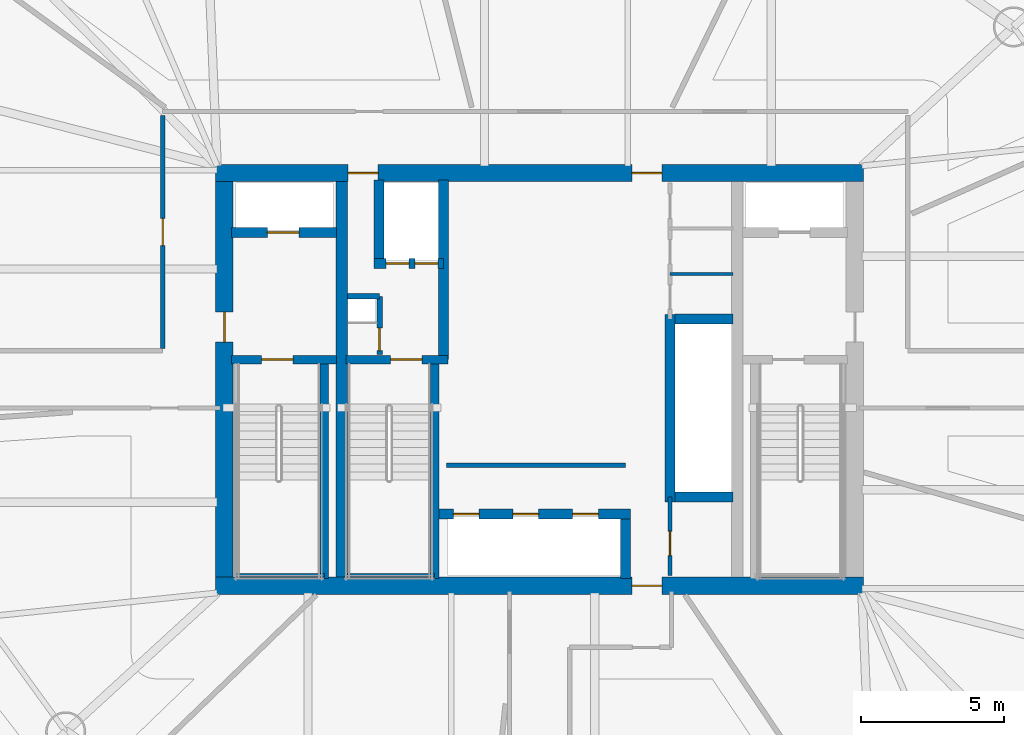
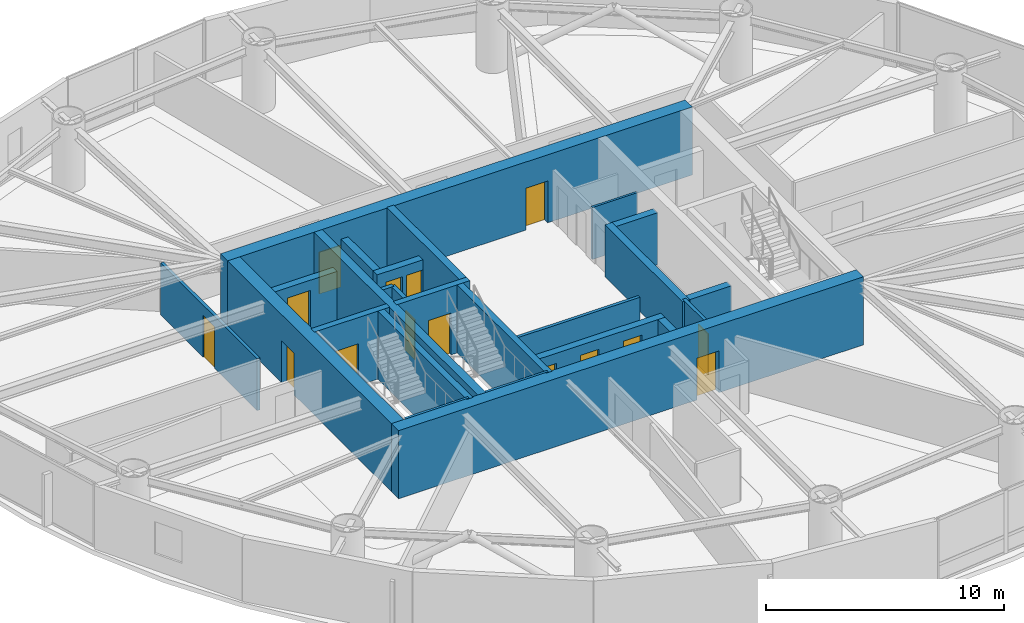
# One storey, part 17 of 22: 25 walls, 15 doors, 15 openings.
"""IFC4 building model written with IfcOpenShell, lengths in metres."""

from ifc_helpers import new_model, si_unit, direction, frame, frame_2d, origin, place, context, subcontext, project, spatial, rectangle, extrude, material, layer, layer_set, type_object, element, fill, save


model = new_model("IFC4")

# Units and contexts
model_context = context("Model", 3, precision=1e-05, world=origin(), true_north=direction((0.0, 1.0)))
body_context = subcontext(model_context, "Body", "Model", "MODEL_VIEW")
ifc_project = project(units=[si_unit("LENGTHUNIT", "METRE"), si_unit("AREAUNIT", "SQUARE_METRE"), si_unit("VOLUMEUNIT", "CUBIC_METRE"), si_unit("PLANEANGLEUNIT", "RADIAN"), si_unit("MASSUNIT", "GRAM", prefix="KILO")], contexts=[model_context])

# Site, building, storey
site_placement = place(None, origin())
site = spatial("IfcSite", under=ifc_project, at=site_placement, CompositionType="ELEMENT")
building_placement = place(site_placement, origin())
building = spatial("IfcBuilding", under=site, at=building_placement, Name="Bramvorn Convention Spire", CompositionType="ELEMENT")
storey_placement = place(building_placement, frame((0.0, 0.0, 141.300048828125)))
storey = spatial("IfcBuildingStorey", under=building, at=storey_placement, Name="L35", CompositionType="ELEMENT", Elevation=141.300048828125)

# Wall, opening, door
ifc_material_1 = material(Name="Concrete C60/70", Category="concrete")
ifc_layer_1 = layer(ifc_material_1, 0.60009765625)
ifc_layer_set_1 = layer_set([ifc_layer_1], Name="Concrete C60/70 - WL-CORE-600")
wall_type_1 = type_object("IfcWallType", Name="WL-CORE-600", PredefinedType="SHEAR", material=ifc_layer_set_1)
wall_1_placement = place(storey_placement, frame((26.699951171875, 18.800048828125, 0.0), z_axis=(0.0, 0.0, 1.0), x_axis=(1.0, 0.0, 0.0)))
wall_1 = element("IfcWall", 1, at=wall_1_placement, inside=storey, type_object=wall_type_1, Name="L35 South RC core shear wall", PredefinedType="SHEAR", context=body_context, shape_type="SweptSolid", body=[
    extrude(rectangle(XDim=22.60009765625, YDim=0.60009765625, at=frame_2d((11.300048828125, 0.0))), origin(), (0.0, 0.0, 1.0), 3.5),
])
opening_1_placement = place(wall_1_placement, frame((14.52001953125, 0.0, 0.0)))
opening_1 = element("IfcOpeningElement", 2, at=opening_1_placement, cuts=wall_1, Name="Opening DL-105", PredefinedType="OPENING", context=body_context, shape_type="SweptSolid", body=[
    extrude(rectangle(XDim=1.050048828125, YDim=2.14990234375, at=frame_2d((0.52490234375, 1.074951171875))), frame((0.0, 0.31005859375, 0.0), z_axis=(0.0, -1.0, 0.0), x_axis=(1.0, 0.0, 0.0)), (0.0, 0.0, 1.0), 0.6201171875),
])
ifc_material_2 = material(Name="Smoke-Sealed Fire Lobby Timber-Core Door", Category="wood")
door_type_1 = type_object("IfcDoorType", Name="DR-LOBBY-1050", OperationType="NOTDEFINED", PredefinedType="DOOR", material=ifc_material_2)
door_1_placement = place(opening_1_placement, origin())
door_1 = element("IfcDoor", 3, at=door_1_placement, inside=storey, type_object=door_type_1, Name="L35 South Lift Lobby fire door", OperationType="SINGLE_SWING_RIGHT", OverallHeight=2.14990234375, OverallWidth=1.050048828125, PredefinedType="DOOR", context=body_context, shape_type="SweptSolid", body=[
    extrude(rectangle(XDim=1.050048828125, YDim=2.14990234375, at=frame_2d((0.52490234375, 1.074951171875))), frame((0.0, 0.02490234375, 0.0), z_axis=(0.0, -1.0, 0.0), x_axis=(1.0, 0.0, 0.0)), (0.0, 0.0, 1.0), 0.050048828125),
])
fill(opening_1, door_1)

# Wall, openings, doors
wall_2_placement = place(storey_placement, frame((26.699951171875, 33.199951171875, 0.0), z_axis=(0.0, 0.0, 1.0), x_axis=(1.0, 0.0, 0.0)))
wall_2 = element("IfcWall", 4, at=wall_2_placement, inside=storey, type_object=wall_type_1, Name="L35 North RC core shear wall", PredefinedType="SHEAR", context=body_context, shape_type="SweptSolid", body=[
    extrude(rectangle(XDim=22.60009765625, YDim=0.60009765625, at=frame_2d((11.300048828125, 0.0))), origin(), (0.0, 0.0, 1.0), 3.5),
])
opening_2_placement = place(wall_2_placement, frame((4.6201171875, 0.0, 0.0)))
opening_2 = element("IfcOpeningElement", 5, at=opening_2_placement, cuts=wall_2, Name="Opening DL-105", PredefinedType="OPENING", context=body_context, shape_type="SweptSolid", body=[
    extrude(rectangle(XDim=1.050048828125, YDim=2.14990234375, at=frame_2d((0.52490234375, 1.074951171875))), frame((0.0, 0.31005859375, 0.0), z_axis=(0.0, -1.0, 0.0), x_axis=(1.0, 0.0, 0.0)), (0.0, 0.0, 1.0), 0.6201171875),
])
opening_3_placement = place(wall_2_placement, frame((14.52001953125, 0.0, 0.0)))
opening_3 = element("IfcOpeningElement", 6, at=opening_3_placement, cuts=wall_2, Name="Opening DL-105", PredefinedType="OPENING", context=body_context, shape_type="SweptSolid", body=[
    extrude(rectangle(XDim=1.050048828125, YDim=2.14990234375, at=frame_2d((0.52490234375, 1.074951171875))), frame((0.0, 0.31005859375, 0.0), z_axis=(0.0, -1.0, 0.0), x_axis=(1.0, 0.0, 0.0)), (0.0, 0.0, 1.0), 0.6201171875),
])
door_2_placement = place(opening_2_placement, origin())
door_2 = element("IfcDoor", 7, at=door_2_placement, inside=storey, type_object=door_type_1, Name="L35 Service & Stair ST3 Lobby north corridor door", OperationType="SINGLE_SWING_LEFT", OverallHeight=2.14990234375, OverallWidth=1.050048828125, PredefinedType="DOOR", context=body_context, shape_type="SweptSolid", body=[
    extrude(rectangle(XDim=1.050048828125, YDim=2.14990234375, at=frame_2d((0.52490234375, 1.074951171875))), frame((0.0, 0.02490234375, 0.0), z_axis=(0.0, -1.0, 0.0), x_axis=(1.0, 0.0, 0.0)), (0.0, 0.0, 1.0), 0.050048828125),
])
fill(opening_2, door_2)
door_3_placement = place(opening_3_placement, origin())
door_3 = element("IfcDoor", 8, at=door_3_placement, inside=storey, type_object=door_type_1, Name="L35 North Lift Lobby fire door", OperationType="SINGLE_SWING_LEFT", OverallHeight=2.14990234375, OverallWidth=1.050048828125, PredefinedType="DOOR", context=body_context, shape_type="SweptSolid", body=[
    extrude(rectangle(XDim=1.050048828125, YDim=2.14990234375, at=frame_2d((0.52490234375, 1.074951171875))), frame((0.0, 0.02490234375, 0.0), z_axis=(0.0, -1.0, 0.0), x_axis=(1.0, 0.0, 0.0)), (0.0, 0.0, 1.0), 0.050048828125),
])
fill(opening_3, door_3)

# Wall, opening, door
wall_3_placement = place(storey_placement, frame((27.0, 19.10009765625, 0.0), z_axis=(0.0, 0.0, 1.0), x_axis=(0.0, 1.0, 0.0)))
wall_3 = element("IfcWall", 9, at=wall_3_placement, inside=storey, type_object=wall_type_1, Name="L35 West RC core shear wall", PredefinedType="SHEAR", context=body_context, shape_type="SweptSolid", body=[
    extrude(rectangle(XDim=13.7998046875, YDim=0.60009765625, at=frame_2d((6.89990234375, 0.0))), origin(), (0.0, 0.0, 1.0), 3.5),
])
opening_4_placement = place(wall_3_placement, frame((8.199951171875, 0.0, 0.0)))
opening_4 = element("IfcOpeningElement", 10, at=opening_4_placement, cuts=wall_3, Name="Opening DL-105", PredefinedType="OPENING", context=body_context, shape_type="SweptSolid", body=[
    extrude(rectangle(XDim=1.050048828125, YDim=2.14990234375, at=frame_2d((0.52490234375, 1.074951171875))), frame((0.0, 0.31005859375, 0.0), z_axis=(0.0, -1.0, 0.0), x_axis=(1.0, 0.0, 0.0)), (0.0, 0.0, 1.0), 0.6201171875),
])
door_4_placement = place(opening_4_placement, origin())
door_4 = element("IfcDoor", 11, at=door_4_placement, inside=storey, type_object=door_type_1, Name="L35 West Firefighting Lobby corridor door", OperationType="SINGLE_SWING_RIGHT", OverallHeight=2.14990234375, OverallWidth=1.050048828125, PredefinedType="DOOR", context=body_context, shape_type="SweptSolid", body=[
    extrude(rectangle(XDim=1.050048828125, YDim=2.14990234375, at=frame_2d((0.52490234375, 1.074951171875))), frame((0.0, 0.02490234375, 0.0), z_axis=(0.0, -1.0, 0.0), x_axis=(1.0, 0.0, 0.0)), (0.0, 0.0, 1.0), 0.050048828125),
])
fill(opening_4, door_4)

ifc_material_3 = material(Name="Concrete C50/60", Category="concrete")
ifc_layer_2 = layer(ifc_material_3, 0.35009765625)
ifc_layer_set_2 = layer_set([ifc_layer_2], Name="Concrete C50/60 - WL-CORE-INT-350")
wall_type_2 = type_object("IfcWallType", Name="WL-CORE-INT-350", PredefinedType="SHEAR", material=ifc_layer_set_2)
wall_4_placement = place(storey_placement, frame((27.25, 31.1201171875, 0.0), z_axis=(0.0, 0.0, 1.0), x_axis=(1.0, 0.0, 0.0)))
wall_4 = element("IfcWall", 12, at=wall_4_placement, inside=storey, type_object=wall_type_2, Name="L35 FE1 shaft front wall", PredefinedType="SHEAR", context=body_context, shape_type="SweptSolid", body=[
    extrude(rectangle(XDim=3.669921875, YDim=0.35009765625, at=frame_2d((1.8349609375, 0.0))), origin(), (0.0, 0.0, 1.0), 2.675048828125),
])
opening_5_placement = place(wall_4_placement, frame((1.25, 0.0, 0.0)))
opening_5 = element("IfcOpeningElement", 13, at=opening_5_placement, cuts=wall_4, Name="Opening LD-110", PredefinedType="OPENING", context=body_context, shape_type="SweptSolid", body=[
    extrude(rectangle(XDim=1.10009765625, YDim=2.14990234375, at=frame_2d((0.550048828125, 1.074951171875))), frame((0.0, 0.18505859375, 0.0), z_axis=(0.0, -1.0, 0.0), x_axis=(1.0, 0.0, 0.0)), (0.0, 0.0, 1.0), 0.3701171875),
])
ifc_material_4 = material(Name="Firefighting & Service Lift Sliding Landing Door", Category="steel")
door_type_2 = type_object("IfcDoorType", Name="DR-LIFT-LD-1100", OperationType="NOTDEFINED", PredefinedType="DOOR", material=ifc_material_4)
door_5_placement = place(opening_5_placement, origin())
door_5 = element("IfcDoor", 14, at=door_5_placement, inside=storey, type_object=door_type_2, Name="L35 Lift FE1 Sliding Landing Door", OperationType="SLIDING_TO_LEFT", OverallHeight=2.14990234375, OverallWidth=1.10009765625, PredefinedType="DOOR", context=body_context, shape_type="SweptSolid", body=[
    extrude(rectangle(XDim=1.10009765625, YDim=2.14990234375, at=frame_2d((0.550048828125, 1.074951171875))), frame((0.0, 0.02490234375, 0.0), z_axis=(0.0, -1.0, 0.0), x_axis=(1.0, 0.0, 0.0)), (0.0, 0.0, 1.0), 0.050048828125),
])
fill(opening_5, door_5)

# Wall
wall_5_placement = place(storey_placement, frame((34.639892578125, 26.68994140625, 0.0), z_axis=(0.0, 0.0, 1.0), x_axis=(0.0, 1.0, 0.0)))
element("IfcWall", 15, at=wall_5_placement, inside=storey, type_object=wall_type_2, Name="L35 SV east core shaft wall", PredefinedType="SHEAR", context=body_context, shape_type="SweptSolid", body=[
    extrude(rectangle(XDim=6.260009765625, YDim=0.35009765625, at=frame_2d((3.1298828125, 0.0))), origin(), (0.0, 0.0, 1.0), 3.5),
])

# Wall, openings, doors
wall_6_placement = place(storey_placement, frame((32.22998046875, 30.050048828125, 0.0), z_axis=(0.0, 0.0, 1.0), x_axis=(1.0, 0.0, 0.0)))
wall_6 = element("IfcWall", 16, at=wall_6_placement, inside=storey, type_object=wall_type_2, Name="L35 SV1/SV2 shaft front wall", PredefinedType="SHEAR", context=body_context, shape_type="SweptSolid", body=[
    extrude(rectangle(XDim=2.409912109375, YDim=0.35009765625, at=frame_2d((1.205078125, 0.0))), origin(), (0.0, 0.0, 1.0), 2.675048828125),
])
opening_6_placement = place(wall_6_placement, frame((0.419921875, 0.0, 0.0)))
opening_6 = element("IfcOpeningElement", 17, at=opening_6_placement, cuts=wall_6, Name="Opening LD-080", PredefinedType="OPENING", context=body_context, shape_type="SweptSolid", body=[
    extrude(rectangle(XDim=0.800048828125, YDim=2.14990234375, at=frame_2d((0.39990234375, 1.074951171875))), frame((0.0, 0.18505859375, 0.0), z_axis=(0.0, -1.0, 0.0), x_axis=(1.0, 0.0, 0.0)), (0.0, 0.0, 1.0), 0.3701171875),
])
opening_7_placement = place(wall_6_placement, frame((1.419921875, 0.0, 0.0)))
opening_7 = element("IfcOpeningElement", 18, at=opening_7_placement, cuts=wall_6, Name="Opening LD-080", PredefinedType="OPENING", context=body_context, shape_type="SweptSolid", body=[
    extrude(rectangle(XDim=0.800048828125, YDim=2.14990234375, at=frame_2d((0.39990234375, 1.074951171875))), frame((0.0, 0.18505859375, 0.0), z_axis=(0.0, -1.0, 0.0), x_axis=(1.0, 0.0, 0.0)), (0.0, 0.0, 1.0), 0.3701171875),
])
ifc_material_5 = material(Name="Service Lift Bi-Parting Landing Door", Category="steel")
door_type_3 = type_object("IfcDoorType", Name="DR-LIFT-LD-800", OperationType="NOTDEFINED", PredefinedType="DOOR", material=ifc_material_5)
door_6_placement = place(opening_6_placement, origin())
door_6 = element("IfcDoor", 19, at=door_6_placement, inside=storey, type_object=door_type_3, Name="L35 Lift SV1 Sliding Landing Door", OperationType="SLIDING_TO_LEFT", OverallHeight=2.14990234375, OverallWidth=0.800048828125, PredefinedType="DOOR", context=body_context, shape_type="SweptSolid", body=[
    extrude(rectangle(XDim=0.800048828125, YDim=2.14990234375, at=frame_2d((0.39990234375, 1.074951171875))), frame((0.0, 0.02490234375, 0.0), z_axis=(0.0, -1.0, 0.0), x_axis=(1.0, 0.0, 0.0)), (0.0, 0.0, 1.0), 0.050048828125),
])
fill(opening_6, door_6)
door_7_placement = place(opening_7_placement, origin())
door_7 = element("IfcDoor", 20, at=door_7_placement, inside=storey, type_object=door_type_3, Name="L35 Lift SV2 Sliding Landing Door", OperationType="SLIDING_TO_LEFT", OverallHeight=2.14990234375, OverallWidth=0.800048828125, PredefinedType="DOOR", context=body_context, shape_type="SweptSolid", body=[
    extrude(rectangle(XDim=0.800048828125, YDim=2.14990234375, at=frame_2d((0.39990234375, 1.074951171875))), frame((0.0, 0.02490234375, 0.0), z_axis=(0.0, -1.0, 0.0), x_axis=(1.0, 0.0, 0.0)), (0.0, 0.0, 1.0), 0.050048828125),
])
fill(opening_7, door_7)

# Walls
wall_7_placement = place(storey_placement, frame((32.39990234375, 30.219970703125, 0.0), z_axis=(0.0, 0.0, 1.0), x_axis=(0.0, 1.0, 0.0)))
element("IfcWall", 21, at=wall_7_placement, inside=storey, type_object=wall_type_2, Name="L35 SV1 west hoistway wall", PredefinedType="SHEAR", context=body_context, shape_type="SweptSolid", body=[
    extrude(rectangle(XDim=2.72998046875, YDim=0.35009765625, at=frame_2d((1.364990234375, 0.0))), origin(), (0.0, 0.0, 1.0), 2.675048828125),
])
wall_8_placement = place(storey_placement, frame((42.550048828125, 21.72998046875, 0.0), z_axis=(0.0, 0.0, 1.0), x_axis=(0.0, 1.0, 0.0)))
element("IfcWall", 22, at=wall_8_placement, inside=storey, type_object=wall_type_2, Name="L35 High-rise lift bank west wall", PredefinedType="SHEAR", context=body_context, shape_type="SweptSolid", body=[
    extrude(rectangle(XDim=6.5400390625, YDim=0.35009765625, at=frame_2d((3.27001953125, 0.0))), origin(), (0.0, 0.0, 1.0), 2.675048828125),
])
for number, where, z_axis, x_axis, name in (
    (23, (42.719970703125, 21.89990234375, 0.0), (0.0, 0.0, 1.0), (1.0, 0.0, 0.0), "L35 High-rise lift bank south wall"),
    (24, (42.719970703125, 28.10009765625, 0.0), (0.0, 0.0, 1.0), (1.0, 0.0, 0.0), "L35 High-rise lift bank north wall"),
):
    element("IfcWall", number, at=place(storey_placement, frame(where, z_axis=z_axis, x_axis=x_axis)), inside=storey, type_object=wall_type_2, Name=name, PredefinedType="SHEAR", context=body_context, shape_type="SweptSolid", body=[
        extrude(rectangle(XDim=2.030029296875, YDim=0.35009765625, at=frame_2d((1.01513671875, 0.0))), origin(), (0.0, 0.0, 1.0), 2.675048828125),
    ])

# Wall, openings, doors
wall_9_placement = place(storey_placement, frame((34.489990234375, 21.300048828125, 0.0), z_axis=(0.0, 0.0, 1.0), x_axis=(1.0, 0.0, 0.0)))
wall_9 = element("IfcWall", 25, at=wall_9_placement, inside=storey, type_object=wall_type_2, Name="L35 Mid-rise bank north landing wall", PredefinedType="SHEAR", context=body_context, shape_type="SweptSolid", body=[
    extrude(rectangle(XDim=6.679931640625, YDim=0.35009765625, at=frame_2d((3.33984375, 0.0))), origin(), (0.0, 0.0, 1.0), 2.675048828125),
])
opening_8_placement = place(wall_9_placement, frame((0.5, 0.0, 0.0)))
opening_8 = element("IfcOpeningElement", 26, at=opening_8_placement, cuts=wall_9, Name="Opening LD-090", PredefinedType="OPENING", context=body_context, shape_type="SweptSolid", body=[
    extrude(rectangle(XDim=0.89990234375, YDim=2.14990234375, at=frame_2d((0.449951171875, 1.074951171875))), frame((0.0, 0.18505859375, 0.0), z_axis=(0.0, -1.0, 0.0), x_axis=(1.0, 0.0, 0.0)), (0.0, 0.0, 1.0), 0.3701171875),
])
opening_9_placement = place(wall_9_placement, frame((2.580078125, 0.0, 0.0)))
opening_9 = element("IfcOpeningElement", 27, at=opening_9_placement, cuts=wall_9, Name="Opening LD-090", PredefinedType="OPENING", context=body_context, shape_type="SweptSolid", body=[
    extrude(rectangle(XDim=0.89990234375, YDim=2.14990234375, at=frame_2d((0.449951171875, 1.074951171875))), frame((0.0, 0.18505859375, 0.0), z_axis=(0.0, -1.0, 0.0), x_axis=(1.0, 0.0, 0.0)), (0.0, 0.0, 1.0), 0.3701171875),
])
opening_10_placement = place(wall_9_placement, frame((4.659912109375, 0.0, 0.0)))
opening_10 = element("IfcOpeningElement", 28, at=opening_10_placement, cuts=wall_9, Name="Opening LD-090", PredefinedType="OPENING", context=body_context, shape_type="SweptSolid", body=[
    extrude(rectangle(XDim=0.89990234375, YDim=2.14990234375, at=frame_2d((0.449951171875, 1.074951171875))), frame((0.0, 0.18505859375, 0.0), z_axis=(0.0, -1.0, 0.0), x_axis=(1.0, 0.0, 0.0)), (0.0, 0.0, 1.0), 0.3701171875),
])
ifc_material_6 = material(Name="Bi-Parting Fire-Rated Lift Landing Door", Category="steel")
door_type_4 = type_object("IfcDoorType", Name="DR-LIFT-LD-900", OperationType="NOTDEFINED", PredefinedType="DOOR", material=ifc_material_6)
door_8_placement = place(opening_8_placement, origin())
door_8 = element("IfcDoor", 29, at=door_8_placement, inside=storey, type_object=door_type_4, Name="L35 Lift PM1 Sliding Landing Door", OperationType="SLIDING_TO_LEFT", OverallHeight=2.14990234375, OverallWidth=0.89990234375, PredefinedType="DOOR", context=body_context, shape_type="SweptSolid", body=[
    extrude(rectangle(XDim=0.89990234375, YDim=2.14990234375, at=frame_2d((0.449951171875, 1.074951171875))), frame((0.0, 0.02490234375, 0.0), z_axis=(0.0, -1.0, 0.0), x_axis=(1.0, 0.0, 0.0)), (0.0, 0.0, 1.0), 0.050048828125),
])
fill(opening_8, door_8)
door_9_placement = place(opening_9_placement, origin())
door_9 = element("IfcDoor", 30, at=door_9_placement, inside=storey, type_object=door_type_4, Name="L35 Lift PM2 Sliding Landing Door", OperationType="SLIDING_TO_LEFT", OverallHeight=2.14990234375, OverallWidth=0.89990234375, PredefinedType="DOOR", context=body_context, shape_type="SweptSolid", body=[
    extrude(rectangle(XDim=0.89990234375, YDim=2.14990234375, at=frame_2d((0.449951171875, 1.074951171875))), frame((0.0, 0.02490234375, 0.0), z_axis=(0.0, -1.0, 0.0), x_axis=(1.0, 0.0, 0.0)), (0.0, 0.0, 1.0), 0.050048828125),
])
fill(opening_9, door_9)
door_10_placement = place(opening_10_placement, origin())
door_10 = element("IfcDoor", 31, at=door_10_placement, inside=storey, type_object=door_type_4, Name="L35 Lift PM3 Sliding Landing Door", OperationType="SLIDING_TO_LEFT", OverallHeight=2.14990234375, OverallWidth=0.89990234375, PredefinedType="DOOR", context=body_context, shape_type="SweptSolid", body=[
    extrude(rectangle(XDim=0.89990234375, YDim=2.14990234375, at=frame_2d((0.449951171875, 1.074951171875))), frame((0.0, 0.02490234375, 0.0), z_axis=(0.0, -1.0, 0.0), x_axis=(1.0, 0.0, 0.0)), (0.0, 0.0, 1.0), 0.050048828125),
])
fill(opening_10, door_10)

# Walls
wall_10_placement = place(storey_placement, frame((41.0, 19.050048828125, 0.0), z_axis=(0.0, 0.0, 1.0), x_axis=(0.0, 1.0, 0.0)))
element("IfcWall", 32, at=wall_10_placement, inside=storey, type_object=wall_type_2, Name="L35 Mid-rise bank east cheek wall", PredefinedType="SHEAR", context=body_context, shape_type="SweptSolid", body=[
    extrude(rectangle(XDim=2.079833984375, YDim=0.35009765625, at=frame_2d((1.0400390625, 0.0))), origin(), (0.0, 0.0, 1.0), 2.675048828125),
])
ifc_layer_3 = layer(ifc_material_1, 0.39990234375)
ifc_layer_set_3 = layer_set([ifc_layer_3], Name="Concrete C60/70 - WL-CORE-INT-400")
wall_type_3 = type_object("IfcWallType", Name="WL-CORE-INT-400", PredefinedType="SHEAR", material=ifc_layer_set_3)
wall_11_placement = place(storey_placement, frame((31.10009765625, 19.10009765625, 0.0), z_axis=(0.0, 0.0, 1.0), x_axis=(0.0, 1.0, 0.0)))
element("IfcWall", 33, at=wall_11_placement, inside=storey, type_object=wall_type_3, Name="L35 West internal core shear web", PredefinedType="SHEAR", context=body_context, shape_type="SweptSolid", body=[
    extrude(rectangle(XDim=13.7998046875, YDim=0.39990234375, at=frame_2d((6.89990234375, 0.0))), origin(), (0.0, 0.0, 1.0), 3.5),
])
ifc_material_7 = material(Name="Lightweight En-Suite & Wet-Wall Partition", Category="gypsum")
ifc_layer_4 = layer(ifc_material_7, 0.110107421875)
ifc_layer_set_4 = layer_set([ifc_layer_4], Name="Lightweight En-Suite & Wet-Wall Partition - WL-PART-110")
wall_type_4 = type_object("IfcWallType", Name="WL-PART-110", PredefinedType="PARTITIONING", material=ifc_layer_set_4)
wall_12_placement = place(storey_placement, frame((42.550048828125, 29.679931640625, 0.0), z_axis=(0.0, 0.0, 1.0), x_axis=(1.0, 0.0, 0.0)))
element("IfcWall", 34, at=wall_12_placement, inside=storey, type_object=wall_type_4, Name="L35 KC NE div 1", PredefinedType="PARTITIONING", context=body_context, shape_type="SweptSolid", body=[
    extrude(rectangle(XDim=2.199951171875, YDim=0.110107421875, at=frame_2d((1.10009765625, 0.0))), origin(), (0.0, 0.0, 1.0), 2.675048828125),
])
ifc_material_8 = material(Name="Acoustic Metal-Stud Tenant/Corridor Partition", Category="gypsum")
ifc_layer_5 = layer(ifc_material_8, 0.14990234375)
ifc_layer_set_5 = layer_set([ifc_layer_5], Name="Acoustic Metal-Stud Tenant/Corridor Partition - WL-PART-150")
wall_type_5 = type_object("IfcWallType", Name="WL-PART-150", PredefinedType="PARTITIONING", material=ifc_layer_set_5)
wall_13_placement = place(storey_placement, frame((34.75, 23.0, 0.0), z_axis=(0.0, 0.0, 1.0), x_axis=(1.0, 0.0, 0.0)))
element("IfcWall", 35, at=wall_13_placement, inside=storey, type_object=wall_type_5, Name="L35 Mid-rise lift vestibule north wall", PredefinedType="PARTITIONING", context=body_context, shape_type="SweptSolid", body=[
    extrude(rectangle(XDim=6.25, YDim=0.14990234375, at=frame_2d((3.125, 0.0))), origin(), (0.0, 0.0, 1.0), 2.675048828125),
])

# Wall, opening, door
wall_14_placement = place(storey_placement, frame((42.550048828125, 19.14990234375, 0.0), z_axis=(0.0, 0.0, 1.0), x_axis=(0.0, 1.0, 0.0)))
wall_14 = element("IfcWall", 36, at=wall_14_placement, inside=storey, type_object=wall_type_5, Name="L35 KC SE wall", PredefinedType="PARTITIONING", context=body_context, shape_type="SweptSolid", body=[
    extrude(rectangle(XDim=2.75, YDim=0.14990234375, at=frame_2d((1.375, 0.0))), origin(), (0.0, 0.0, 1.0), 2.675048828125),
])
opening_11_placement = place(wall_14_placement, frame((0.699951171875, 0.0, 0.0)))
opening_11 = element("IfcOpeningElement", 37, at=opening_11_placement, cuts=wall_14, Name="Opening DC-085", PredefinedType="OPENING", context=body_context, shape_type="SweptSolid", body=[
    extrude(rectangle(XDim=0.85009765625, YDim=2.10009765625, at=frame_2d((0.425048828125, 1.050048828125))), frame((0.0, 0.0849609375, 0.0), z_axis=(0.0, -1.0, 0.0), x_axis=(1.0, 0.0, 0.0)), (0.0, 0.0, 1.0), 0.169921875),
])
ifc_material_9 = material(Name="Fire-Rated Core Washroom & IDF Door", Category="wood")
door_type_5 = type_object("IfcDoorType", Name="DR-CORE-850", OperationType="NOTDEFINED", PredefinedType="DOOR", material=ifc_material_9)
door_11_placement = place(opening_11_placement, origin())
door_11 = element("IfcDoor", 38, at=door_11_placement, inside=storey, type_object=door_type_5, Name="L35 Core Valve & Riser Room door", OperationType="SINGLE_SWING_LEFT", OverallHeight=2.10009765625, OverallWidth=0.85009765625, PredefinedType="DOOR", context=body_context, shape_type="SweptSolid", body=[
    extrude(rectangle(XDim=0.85009765625, YDim=2.10009765625, at=frame_2d((0.425048828125, 1.050048828125))), frame((0.0, 0.02490234375, 0.0), z_axis=(0.0, -1.0, 0.0), x_axis=(1.0, 0.0, 0.0)), (0.0, 0.0, 1.0), 0.050048828125),
])
fill(opening_11, door_11)

wall_15_placement = place(storey_placement, frame((24.85009765625, 27.080078125, 0.0), z_axis=(0.0, 0.0, 1.0), x_axis=(0.0, 1.0, 0.0)))
wall_15 = element("IfcWall", 39, at=wall_15_placement, inside=storey, type_object=wall_type_5, Name="L35 NW gallery cheek", PredefinedType="PARTITIONING", context=body_context, shape_type="SweptSolid", body=[
    extrude(rectangle(XDim=8.119873046875, YDim=0.14990234375, at=frame_2d((4.06005859375, 0.0))), origin(), (0.0, 0.0, 1.0), 2.675048828125),
])
opening_12_placement = place(wall_15_placement, frame((3.5849609375, 0.0, 0.0)))
opening_12 = element("IfcOpeningElement", 40, at=opening_12_placement, cuts=wall_15, Name="Opening DH-095", PredefinedType="OPENING", context=body_context, shape_type="SweptSolid", body=[
    extrude(rectangle(XDim=0.949951171875, YDim=2.14990234375, at=frame_2d((0.47509765625, 1.074951171875))), frame((0.0, 0.0849609375, 0.0), z_axis=(0.0, -1.0, 0.0), x_axis=(1.0, 0.0, 0.0)), (0.0, 0.0, 1.0), 0.169921875),
])
ifc_material_10 = material(Name="Solid-Core Acoustic Guestroom Entry Door", Category="wood")
door_type_6 = type_object("IfcDoorType", Name="DR-HOTEL-950", OperationType="NOTDEFINED", PredefinedType="DOOR", material=ifc_material_10)
door_12_placement = place(opening_12_placement, origin())
door_12 = element("IfcDoor", 41, at=door_12_placement, inside=storey, type_object=door_type_6, Name="L35 C-Suite Meeting Boardroom 4 door", OperationType="SINGLE_SWING_RIGHT", OverallHeight=2.14990234375, OverallWidth=0.949951171875, PredefinedType="DOOR", context=body_context, shape_type="SweptSolid", body=[
    extrude(rectangle(XDim=0.949951171875, YDim=2.14990234375, at=frame_2d((0.47509765625, 1.074951171875))), frame((0.0, 0.02490234375, 0.0), z_axis=(0.0, -1.0, 0.0), x_axis=(1.0, 0.0, 0.0)), (0.0, 0.0, 1.0), 0.050048828125),
])
fill(opening_12, door_12)

ifc_material_11 = material(Name="Gypsum Shaftwall & Rockwool Core Partition", Category="gypsum")
ifc_layer_6 = layer(ifc_material_11, 0.199951171875)
ifc_layer_set_6 = layer_set([ifc_layer_6], Name="Gypsum Shaftwall & Rockwool Core Partition - WL-PART-200-FR")
wall_type_6 = type_object("IfcWallType", Name="WL-PART-200-FR", PredefinedType="PARTITIONING", material=ifc_layer_set_6)
wall_16_placement = place(storey_placement, frame((32.419921875, 26.860107421875, 0.0), z_axis=(0.0, 0.0, 1.0), x_axis=(0.0, 1.0, 0.0)))
wall_16 = element("IfcWall", 42, at=wall_16_placement, inside=storey, type_object=wall_type_6, Name="L35 Telecom riser east wall", PredefinedType="PARTITIONING", context=body_context, shape_type="SweptSolid", body=[
    extrude(rectangle(XDim=2.039794921875, YDim=0.199951171875, at=frame_2d((1.02001953125, 0.0))), origin(), (0.0, 0.0, 1.0), 2.675048828125),
])
opening_13_placement = place(wall_16_placement, frame((0.139892578125, 0.0, 0.0)))
opening_13 = element("IfcOpeningElement", 43, at=opening_13_placement, cuts=wall_16, Name="Opening DR-080", PredefinedType="OPENING", context=body_context, shape_type="SweptSolid", body=[
    extrude(rectangle(XDim=0.800048828125, YDim=2.050048828125, at=frame_2d((0.39990234375, 1.02490234375))), frame((0.0, 0.10986328125, 0.0), z_axis=(0.0, -1.0, 0.0), x_axis=(1.0, 0.0, 0.0)), (0.0, 0.0, 1.0), 0.219970703125),
])
ifc_material_12 = material(Name="Flush Steel Riser Access Door", Category="steel")
door_type_7 = type_object("IfcDoorType", Name="DR-RISER-800", OperationType="NOTDEFINED", PredefinedType="DOOR", material=ifc_material_12)
door_13_placement = place(opening_13_placement, origin())
door_13 = element("IfcDoor", 44, at=door_13_placement, inside=storey, type_object=door_type_7, Name="L35 Telecom riser access door", OperationType="SINGLE_SWING_RIGHT", OverallHeight=2.050048828125, OverallWidth=0.800048828125, PredefinedType="DOOR", context=body_context, shape_type="SweptSolid", body=[
    extrude(rectangle(XDim=0.800048828125, YDim=2.050048828125, at=frame_2d((0.39990234375, 1.02490234375))), frame((0.0, 0.02490234375, 0.0), z_axis=(0.0, -1.0, 0.0), x_axis=(1.0, 0.0, 0.0)), (0.0, 0.0, 1.0), 0.050048828125),
])
fill(opening_13, door_13)

# Wall
wall_17_placement = place(storey_placement, frame((31.300048828125, 28.89990234375, 0.0), z_axis=(0.0, 0.0, 1.0), x_axis=(1.0, 0.0, 0.0)))
element("IfcWall", 45, at=wall_17_placement, inside=storey, type_object=wall_type_6, Name="L35 Telecom riser north wall", PredefinedType="PARTITIONING", context=body_context, shape_type="SweptSolid", body=[
    extrude(rectangle(XDim=1.119873046875, YDim=0.199951171875, at=frame_2d((0.56005859375, 0.0))), origin(), (0.0, 0.0, 1.0), 2.675048828125),
])

# Wall, opening, door
ifc_layer_7 = layer(ifc_material_3, 0.300048828125)
ifc_layer_set_7 = layer_set([ifc_layer_7], Name="Concrete C50/60 - WL-POD-STAIR-300")
wall_type_7 = type_object("IfcWallType", Name="WL-POD-STAIR-300", PredefinedType="SHEAR", material=ifc_layer_set_7)
wall_18_placement = place(storey_placement, frame((27.25, 26.68994140625, 0.0), z_axis=(0.0, 0.0, 1.0), x_axis=(1.0, 0.0, 0.0)))
wall_18 = element("IfcWall", 46, at=wall_18_placement, inside=storey, type_object=wall_type_7, Name="L35 ST1 north fire wall", PredefinedType="SHEAR", context=body_context, shape_type="SweptSolid", body=[
    extrude(rectangle(XDim=3.669921875, YDim=0.300048828125, at=frame_2d((1.8349609375, 0.0))), origin(), (0.0, 0.0, 1.0), 3.5),
])
opening_14_placement = place(wall_18_placement, frame((1.050048828125, 0.0, 0.0)))
opening_14 = element("IfcOpeningElement", 47, at=opening_14_placement, cuts=wall_18, Name="Opening DS-110", PredefinedType="OPENING", context=body_context, shape_type="SweptSolid", body=[
    extrude(rectangle(XDim=1.10009765625, YDim=2.14990234375, at=frame_2d((0.550048828125, 1.074951171875))), frame((0.0, 0.159912109375, 0.0), z_axis=(0.0, -1.0, 0.0), x_axis=(1.0, 0.0, 0.0)), (0.0, 0.0, 1.0), 0.320068359375),
])
ifc_material_13 = material(Name="Fire-Rated Hollow Steel Stairwell Door", Category="steel")
door_type_8 = type_object("IfcDoorType", Name="DR-STAIR-1100", OperationType="NOTDEFINED", PredefinedType="DOOR", material=ifc_material_13)
door_14_placement = place(opening_14_placement, origin())
door_14 = element("IfcDoor", 48, at=door_14_placement, inside=storey, type_object=door_type_8, Name="L35 Stair ST1 fire door", OperationType="SINGLE_SWING_LEFT", OverallHeight=2.14990234375, OverallWidth=1.10009765625, PredefinedType="DOOR", context=body_context, shape_type="SweptSolid", body=[
    extrude(rectangle(XDim=1.10009765625, YDim=2.14990234375, at=frame_2d((0.550048828125, 1.074951171875))), frame((0.0, 0.02490234375, 0.0), z_axis=(0.0, -1.0, 0.0), x_axis=(1.0, 0.0, 0.0)), (0.0, 0.0, 1.0), 0.050048828125),
])
fill(opening_14, door_14)

# Walls
for number, where, z_axis, x_axis, name in (
    (49, (30.489990234375, 19.050048828125, 0.0), (0.0, 0.0, 1.0), (0.0, 1.0, 0.0), "L35 ST1 east bearing wall"),
    (50, (34.340087890625, 19.050048828125, 0.0), (0.0, 0.0, 1.0), (0.0, 1.0, 0.0), "L35 ST3 east bearing wall"),
):
    element("IfcWall", number, at=place(storey_placement, frame(where, z_axis=z_axis, x_axis=x_axis)), inside=storey, type_object=wall_type_7, Name=name, PredefinedType="SHEAR", context=body_context, shape_type="SweptSolid", body=[
        extrude(rectangle(XDim=7.5, YDim=0.300048828125, at=frame_2d((3.75, 0.0))), origin(), (0.0, 0.0, 1.0), 3.5),
    ])

# Wall, opening, door
wall_19_placement = place(storey_placement, frame((31.25, 26.68994140625, 0.0), z_axis=(0.0, 0.0, 1.0), x_axis=(1.0, 0.0, 0.0)))
wall_19 = element("IfcWall", 51, at=wall_19_placement, inside=storey, type_object=wall_type_7, Name="L35 ST3 north lobby wall", PredefinedType="SHEAR", context=body_context, shape_type="SweptSolid", body=[
    extrude(rectangle(XDim=3.56005859375, YDim=0.300048828125, at=frame_2d((1.780029296875, 0.0))), origin(), (0.0, 0.0, 1.0), 3.5),
])
opening_15_placement = place(wall_19_placement, frame((1.550048828125, 0.0, 0.0)))
opening_15 = element("IfcOpeningElement", 52, at=opening_15_placement, cuts=wall_19, Name="Opening DS-110", PredefinedType="OPENING", context=body_context, shape_type="SweptSolid", body=[
    extrude(rectangle(XDim=1.10009765625, YDim=2.14990234375, at=frame_2d((0.550048828125, 1.074951171875))), frame((0.0, 0.159912109375, 0.0), z_axis=(0.0, -1.0, 0.0), x_axis=(1.0, 0.0, 0.0)), (0.0, 0.0, 1.0), 0.320068359375),
])
door_15_placement = place(opening_15_placement, origin())
door_15 = element("IfcDoor", 53, at=door_15_placement, inside=storey, type_object=door_type_8, Name="L35 Stair ST3 fire door", OperationType="SINGLE_SWING_LEFT", OverallHeight=2.14990234375, OverallWidth=1.10009765625, PredefinedType="DOOR", context=body_context, shape_type="SweptSolid", body=[
    extrude(rectangle(XDim=1.10009765625, YDim=2.14990234375, at=frame_2d((0.550048828125, 1.074951171875))), frame((0.0, 0.02490234375, 0.0), z_axis=(0.0, -1.0, 0.0), x_axis=(1.0, 0.0, 0.0)), (0.0, 0.0, 1.0), 0.050048828125),
])
fill(opening_15, door_15)

# Walls
ifc_layer_8 = layer(ifc_material_3, 0.1201171875)
ifc_layer_set_8 = layer_set([ifc_layer_8], Name="Concrete C50/60 - WL-STAIR-RC-120")
wall_type_8 = type_object("IfcWallType", Name="WL-STAIR-RC-120", PredefinedType="SHEAR", material=ifc_layer_set_8)
wall_20_placement = place(storey_placement, frame((27.39501953125, 19.159912109375, 0.0), z_axis=(0.0, 0.0, 1.0), x_axis=(1.0, 0.0, 0.0)))
element("IfcWall", 54, at=wall_20_placement, inside=storey, type_object=wall_type_8, Name="L35 ST1 south bearing shear wall", PredefinedType="SHEAR", context=body_context, shape_type="SweptSolid", body=[
    extrude(rectangle(XDim=3.094970703125, YDim=0.1201171875, at=frame_2d((1.54736328125, 0.0))), origin(), (0.0, 0.0, 1.0), 3.5),
])
wall_21_placement = place(storey_placement, frame((31.300048828125, 19.159912109375, 0.0), z_axis=(0.0, 0.0, 1.0), x_axis=(1.0, 0.0, 0.0)))
element("IfcWall", 55, at=wall_21_placement, inside=storey, type_object=wall_type_8, Name="L35 ST3 south bearing shear wall", PredefinedType="SHEAR", context=body_context, shape_type="SweptSolid", body=[
    extrude(rectangle(XDim=3.0400390625, YDim=0.1201171875, at=frame_2d((1.52001953125, 0.0))), origin(), (0.0, 0.0, 1.0), 3.5),
])

save(model, "model.ifc")
